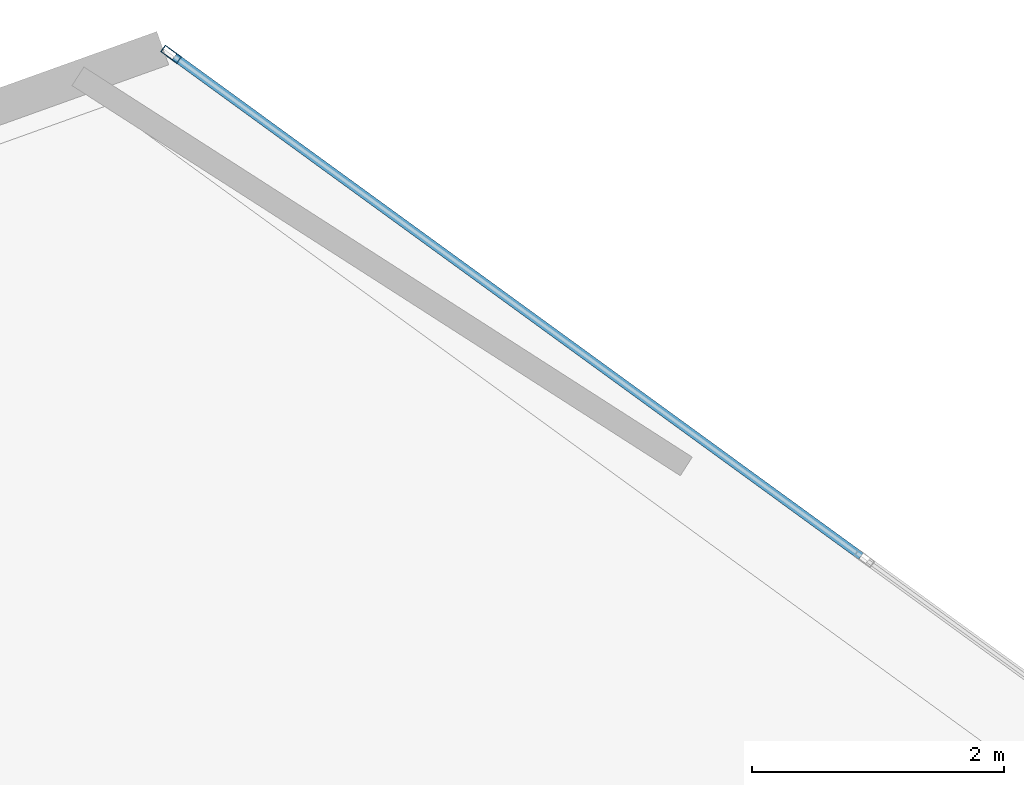
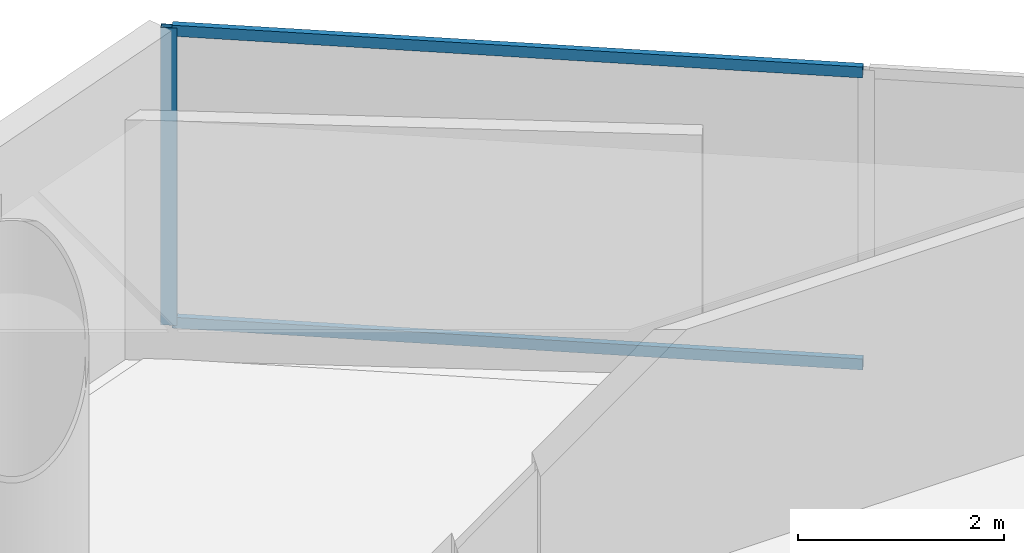
# One storey, part 11 of 18: 3 members, 1 element without a shape of its own.
"""IFC4 building model written with IfcOpenShell, lengths in metres."""

from ifc_helpers import new_model, si_unit, direction, frame, origin, origin_2d, place, context, subcontext, project, spatial, hollow_rectangle, extrude, material, layer, layer_set, material_profile, profile_set, type_object, element, aggregate, save


model = new_model("IFC4")

# Units and contexts
model_context = context("Model", 3, precision=1e-05, world=origin(), true_north=direction((0.0, 1.0)))
body_context = subcontext(model_context, "Body", "Model", "MODEL_VIEW")
ifc_project = project(units=[si_unit("LENGTHUNIT", "METRE"), si_unit("AREAUNIT", "SQUARE_METRE"), si_unit("VOLUMEUNIT", "CUBIC_METRE"), si_unit("PLANEANGLEUNIT", "RADIAN"), si_unit("MASSUNIT", "GRAM", prefix="KILO")], contexts=[model_context])

# Site, building, storey
site_placement = place(None, origin())
site = spatial("IfcSite", under=ifc_project, at=site_placement, CompositionType="ELEMENT")
building_placement = place(site_placement, origin())
building = spatial("IfcBuilding", under=site, at=building_placement, Name="Qianvela Tower", CompositionType="ELEMENT")
storey_placement = place(building_placement, frame((0.0, 0.0, 97.800048828125)))
storey = spatial("IfcBuildingStorey", under=building, at=storey_placement, Name="L24", CompositionType="ELEMENT", Elevation=97.800048828125)

# Curtain wall, members
ifc_material_1 = material(Name="Anodised Architectural Aluminium and Low-E Glass", Category="aluminium")
ifc_layer = layer(ifc_material_1, 0.169921875)
ifc_layer_set = layer_set([ifc_layer], Name="Anodised Architectural Aluminium and Low-E Glass")
curtain_wall_type = type_object("IfcCurtainWallType", Name="CW-COLIV-Z34", PredefinedType="USERDEFINED", material=ifc_layer_set)
curtain_wall_placement = place(storey_placement, origin())
curtain_wall = element("IfcCurtainWall", 1, at=curtain_wall_placement, inside=storey, type_object=curtain_wall_type, Name="L24 CW-COLIV-Z34 Curtain Wall 02C", ObjectType="CURTAIN_WALL_SYSTEM", PredefinedType="USERDEFINED")
ifc_material_2 = material(Name="Anodised Architectural Aluminium 6063-T6", Category="aluminium")
ifc_material_profile_1 = material_profile(ifc_material_2, hollow_rectangle(XDim=0.06494140625, YDim=0.159912109375, WallThickness=0.0048828125, at=origin_2d()), Name="ALU-MULL-65x160")
ifc_profile_set_1 = profile_set([ifc_material_profile_1], Name="Anodised Architectural Aluminium 6063-T6")
member_type_1 = type_object("IfcMemberType", Name="CW-COLIV-Z34-MULL", PredefinedType="MULLION", material=ifc_profile_set_1)
member_1_placement = place(storey_placement, frame((34.015625, 44.44873046875, 0.0), z_axis=(0.0, 0.0, 1.0), x_axis=(-0.588254840184, -0.808675610489, 0.0)))
member_1 = element("IfcMember", 2, at=member_1_placement, type_object=member_type_1, Name="CW-4 mullion 3", PredefinedType="MULLION", context=body_context, shape_type="SweptSolid", body=[
    extrude(hollow_rectangle(XDim=0.06494140625, YDim=0.159912109375, WallThickness=0.0048828125, at=origin_2d()), origin(), (0.0, 0.0, 1.0), 3.52001953125),
])
ifc_material_3 = material(Name="Anodised Architectural Aluminium 6063-T6", Category="aluminium")
ifc_material_profile_2 = material_profile(ifc_material_3, hollow_rectangle(XDim=0.06494140625, YDim=0.1298828125, WallThickness=0.00439453125, at=origin_2d()), Name="ALU-TRAN-65x130")
ifc_profile_set_2 = profile_set([ifc_material_profile_2], Name="Anodised Architectural Aluminium 6063-T6")
member_type_2 = type_object("IfcMemberType", Name="CW-COLIV-Z34-TRAN", PredefinedType="USERDEFINED", material=ifc_profile_set_2)
member_2_placement = place(storey_placement, frame((39.48583984375, 40.469482421875, 0.032470703125), z_axis=(-0.808662369475, 0.588273042213, 0.0), x_axis=(-0.588273042213, -0.808662369475, 0.0)))
member_2 = element("IfcMember", 3, at=member_2_placement, type_object=member_type_2, Name="CW-4 transom 2.1", ObjectType="TRANSOM", PredefinedType="USERDEFINED", context=body_context, shape_type="SweptSolid", body=[
    extrude(hollow_rectangle(XDim=0.06494140625, YDim=0.1298828125, WallThickness=0.00439453125, at=origin_2d()), origin(), (0.0, 0.0, 1.0), 6.73193359375),
])
member_3_placement = place(storey_placement, frame((39.48583984375, 40.469482421875, 3.487548828125), z_axis=(-0.808662369475, 0.588273042213, 0.0), x_axis=(-0.588273042213, -0.808662369475, 0.0)))
member_3 = element("IfcMember", 4, at=member_3_placement, type_object=member_type_2, Name="CW-4 transom 2.2", ObjectType="TRANSOM", PredefinedType="USERDEFINED", context=body_context, shape_type="SweptSolid", body=[
    extrude(hollow_rectangle(XDim=0.06494140625, YDim=0.1298828125, WallThickness=0.00439453125, at=origin_2d()), origin(), (0.0, 0.0, 1.0), 6.73193359375),
])
aggregate(curtain_wall, [member_1, member_2, member_3])

save(model, "model.ifc")
